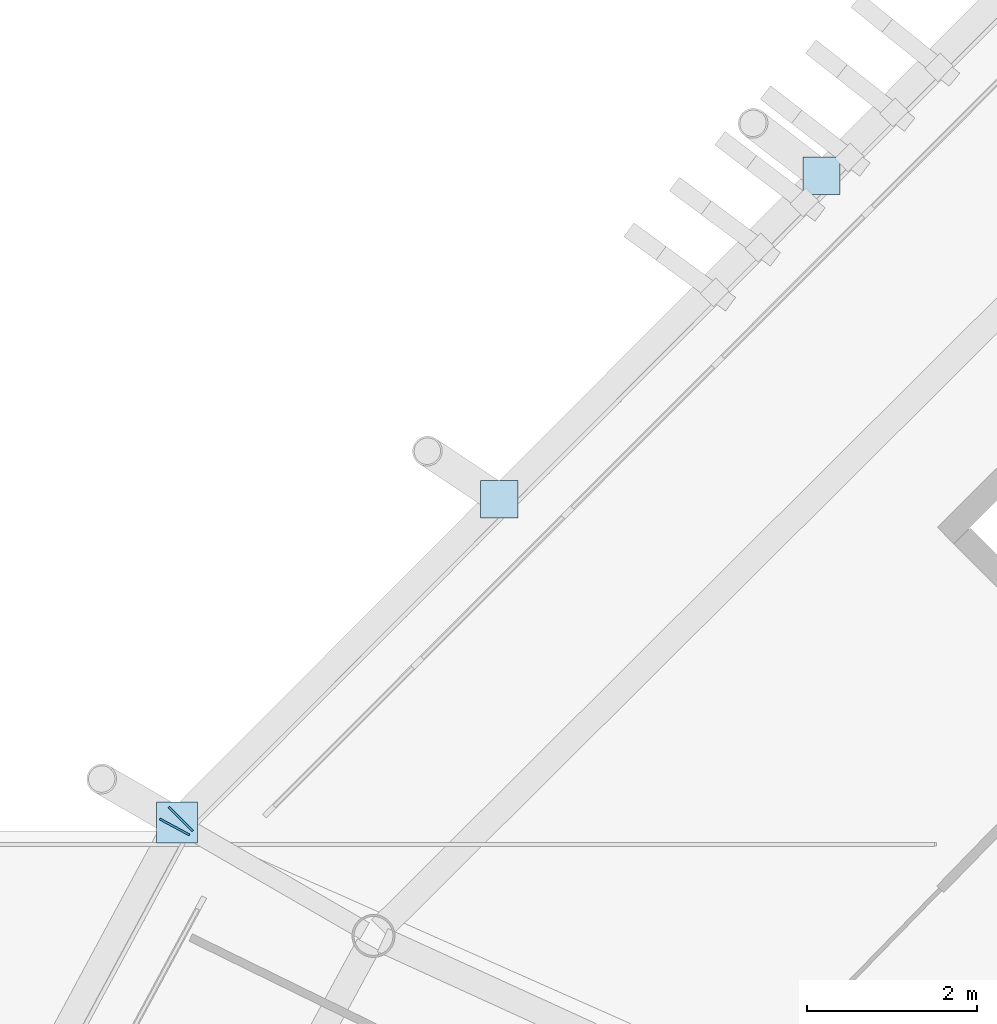
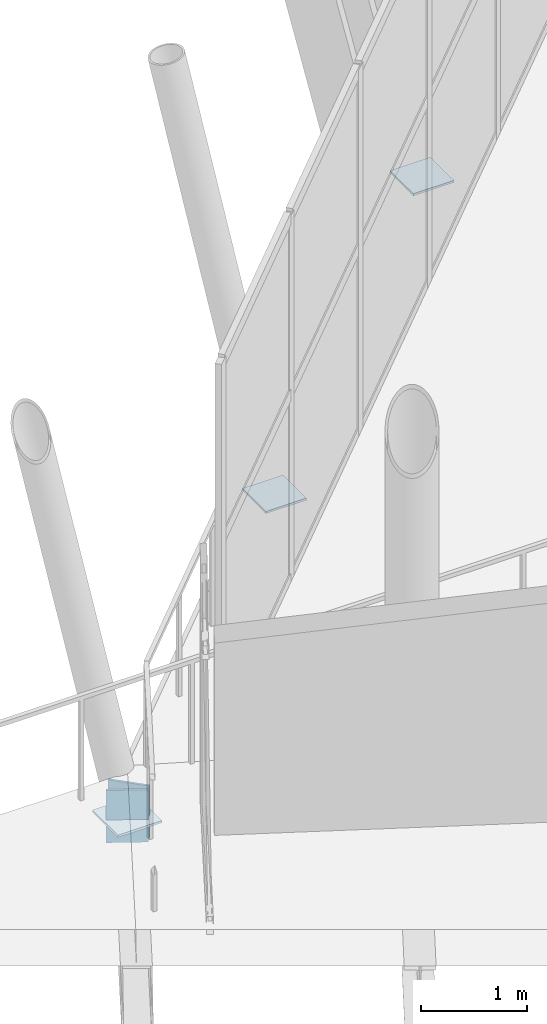
# One storey, part 109 of 179: 5 plates.
"""IFC4 building model written with IfcOpenShell, lengths in metres."""

from ifc_helpers import new_model, si_unit, direction, frame, origin, origin_2d, place, context, subcontext, project, spatial, rectangle, extrude, material, layer, layer_set, type_object, element, save


model = new_model("IFC4")

# Units and contexts
model_context = context("Model", 3, precision=1e-05, world=origin(), true_north=direction((0.0, 1.0)))
body_context = subcontext(model_context, "Body", "Model", "MODEL_VIEW")
ifc_project = project(units=[si_unit("LENGTHUNIT", "METRE"), si_unit("AREAUNIT", "SQUARE_METRE"), si_unit("VOLUMEUNIT", "CUBIC_METRE"), si_unit("PLANEANGLEUNIT", "RADIAN"), si_unit("MASSUNIT", "GRAM", prefix="KILO")], contexts=[model_context])

# Site, building, storey
site_placement = place(None, origin())
site = spatial("IfcSite", under=ifc_project, at=site_placement, CompositionType="ELEMENT")
building_placement = place(site_placement, origin())
building = spatial("IfcBuilding", under=site, at=building_placement, Name="Zlatoyarsky Gate Stadium", CompositionType="ELEMENT")
storey_placement = place(building_placement, frame((0.0, 0.0, 10.60009765625)))
storey = spatial("IfcBuildingStorey", under=building, at=storey_placement, Name="L02", CompositionType="ELEMENT", Elevation=10.60009765625)

# Plates
ifc_material = material(Name="Steel S355", Category="steel")
ifc_layer = layer(ifc_material, 0.02392578125)
ifc_layer_set = layer_set([ifc_layer], Name="Steel S355")
plate_type = type_object("IfcPlateType", Name="STEEL HOLLOW CHORD SPLICE SHEET 24", PredefinedType="SHEET", material=ifc_layer_set)
for number, where, z_axis, x_axis, name in (
    (1, (28.1845703125, 116.88037109375, -0.830078125), (0.0, 0.0, 1.0), (-0.705849920208, -0.708361412093, 0.0), "Hollow end cap ND-SP1 CAP-L02-SPD-09 B"),
    (2, (28.11376953125, 116.78515625, -0.830078125), (0.0, 0.0, 1.0), (-0.473714375599, -0.880678539735, 0.0), "Hollow end cap ND-SP1 CAP-L02-SPD-10 A"),
):
    element("IfcPlate", number, at=place(storey_placement, frame(where, z_axis=z_axis, x_axis=x_axis)), inside=storey, type_object=plate_type, Name=name, PredefinedType="SHEET", context=body_context, shape_type="SweptSolid", body=[
        extrude(rectangle(XDim=0.02392578125, YDim=0.39990234375, at=origin_2d()), origin(), (0.0, 0.0, 1.0), 0.60009765625),
    ])
plate_placement = place(storey_placement, frame((28.14208984375, 116.837890625, -0.592041015625), z_axis=(0.0, 0.0, 1.0), x_axis=(1.0, 0.0, 0.0)))
element("IfcPlate", 3, at=plate_placement, inside=storey, type_object=plate_type, Name="Node closure plate ND-SP1 NCAP-L02-RSTR-10", PredefinedType="SHEET", context=body_context, shape_type="SweptSolid", body=[
    extrude(rectangle(XDim=0.47998046875, YDim=0.47998046875, at=origin_2d()), origin(), (0.0, 0.0, 1.0), 0.02392578125),
])
for number, where, z_axis, x_axis, name in (
    (4, (35.744384765625, 124.46728515625, -0.5419921875), (0.0, 0.0, 1.0), (1.0, 0.0, 0.0), "Node closure plate ND-SP1 NCAP-RIB-09-2-0T"),
    (5, (31.943359375, 120.652587890625, -0.5419921875), (0.0, 0.0, 1.0), (1.0, 0.0, 0.0), "Node closure plate ND-SP1 NCAP-RIB-09-3-0T"),
):
    element("IfcPlate", number, at=place(storey_placement, frame(where, z_axis=z_axis, x_axis=x_axis)), inside=storey, type_object=plate_type, Name=name, PredefinedType="SHEET", context=body_context, shape_type="SweptSolid", body=[
        extrude(rectangle(XDim=0.43994140625, YDim=0.43994140625, at=origin_2d()), origin(), (0.0, 0.0, 1.0), 0.02392578125),
    ])

save(model, "model.ifc")
